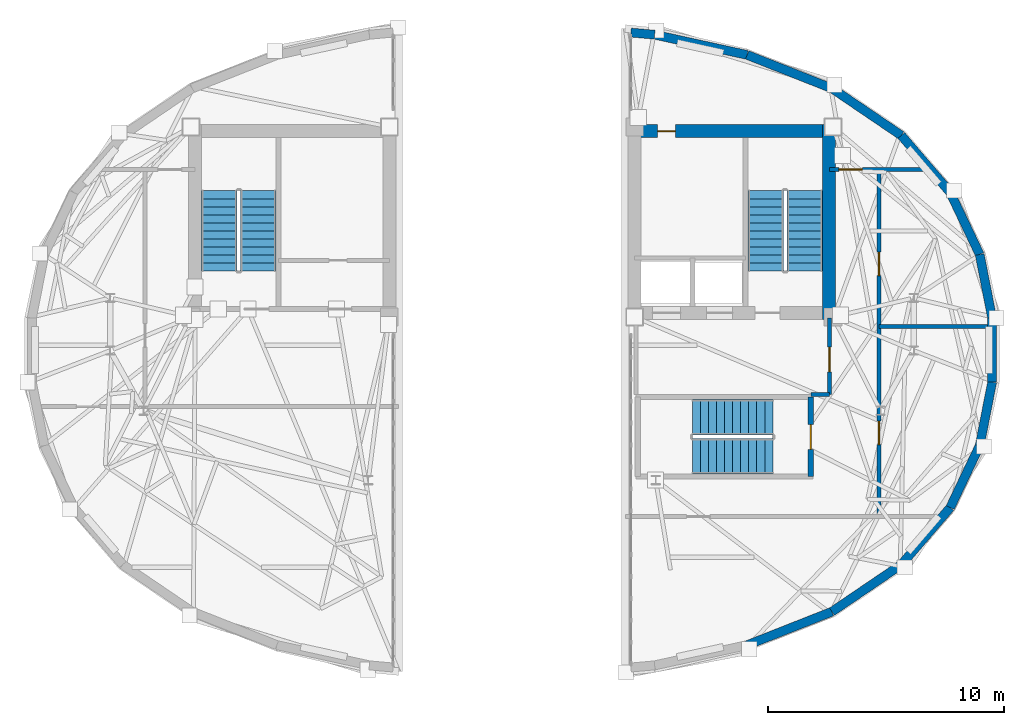
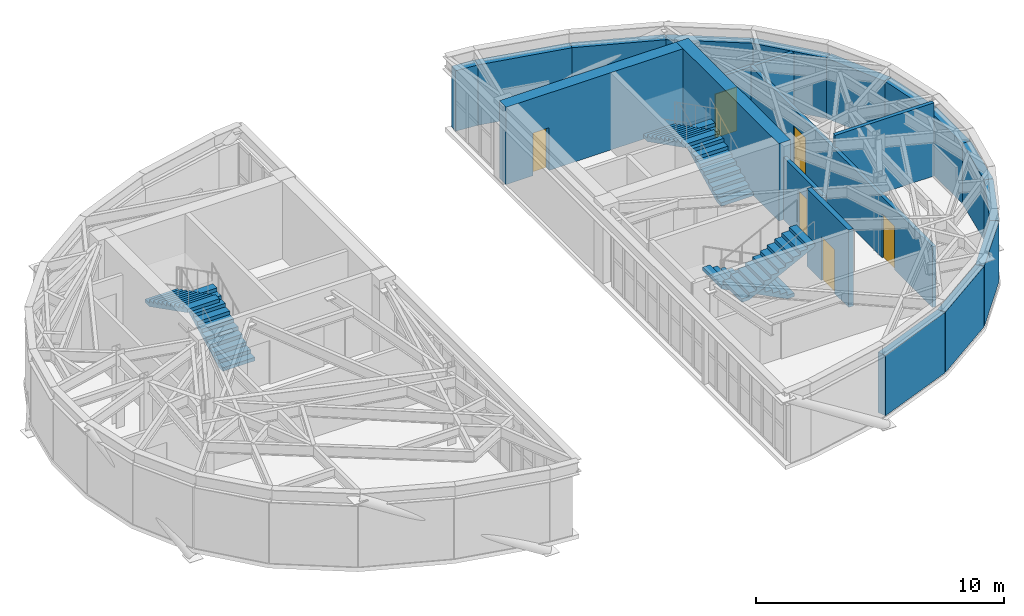
# One storey, part 10 of 13: 21 walls, 6 doors, 6 stair flights, 6 openings, 3 elements without a shape of their own.
"""IFC4 building model written with IfcOpenShell, lengths in metres."""

from ifc_helpers import new_model, si_unit, direction, frame, frame_2d, origin, place, context, subcontext, project, spatial, polyline, rectangle, outline, extrude, material, layer, layer_set, type_object, element, fill, aggregate, save


model = new_model("IFC4")

# Units and contexts
model_context = context("Model", 3, precision=1e-05, world=origin(), true_north=direction((0.0, 1.0)))
body_context = subcontext(model_context, "Body", "Model", "MODEL_VIEW")
ifc_project = project(units=[si_unit("LENGTHUNIT", "METRE"), si_unit("AREAUNIT", "SQUARE_METRE"), si_unit("VOLUMEUNIT", "CUBIC_METRE"), si_unit("PLANEANGLEUNIT", "RADIAN"), si_unit("MASSUNIT", "GRAM", prefix="KILO")], contexts=[model_context])

# Site, building, storey
site_placement = place(None, origin())
site = spatial("IfcSite", under=ifc_project, at=site_placement, CompositionType="ELEMENT")
building_placement = place(site_placement, origin())
building = spatial("IfcBuilding", under=site, at=building_placement, Name="Keldmark Tower", CompositionType="ELEMENT")
storey_placement = place(building_placement, frame((0.0, 0.0, 273.0)))
storey = spatial("IfcBuildingStorey", under=building, at=storey_placement, Name="L77", CompositionType="ELEMENT", Elevation=273.0)

# Walls
ifc_material_1 = material(Name="Kasota Buff Limestone Ashlar Masonry", Category="masonry")
ifc_layer_1 = layer(ifc_material_1, 0.3798828125)
ifc_layer_set_1 = layer_set([ifc_layer_1], Name="Kasota Buff Limestone Ashlar Masonry")
wall_type_1 = type_object("IfcWallType", Name="Crown Kasota Limestone Screen Wall 380 mm", PredefinedType="ELEMENTEDWALL", material=ifc_layer_set_1)
wall_1_placement = place(storey_placement, frame((9.96337890625, 12.50390625, 0.0), z_axis=(0.0, 0.0, 1.0), x_axis=(-0.97689207626, 0.213733177911, 0.0)))
element("IfcWall", 1, at=wall_1_placement, inside=storey, type_object=wall_type_1, Name="L77 Crown Limestone Enclosure Wall E01", PredefinedType="ELEMENTEDWALL", context=body_context, shape_type="SweptSolid", body=[
    extrude(rectangle(XDim=4.01171875, YDim=0.3798828125, at=frame_2d((2.005859375, 0.0))), origin(), (0.0, 0.0, 1.0), 2.969970703125),
])
wall_2_placement = place(storey_placement, frame((13.55712890625, 11.086181640625, 0.0), z_axis=(0.0, 0.0, 1.0), x_axis=(-0.930231308044, 0.366973723221, 0.0)))
element("IfcWall", 2, at=wall_2_placement, inside=storey, type_object=wall_type_1, Name="L77 Crown Limestone Enclosure Wall E02", PredefinedType="ELEMENTEDWALL", context=body_context, shape_type="SweptSolid", body=[
    extrude(rectangle(XDim=3.86328125, YDim=0.3798828125, at=frame_2d((1.931640625, 0.0))), origin(), (0.0, 0.0, 1.0), 2.969970703125),
])
wall_3_placement = place(storey_placement, frame((16.49560546875, 9.0927734375, 0.0), z_axis=(0.0, 0.0, 1.0), x_axis=(-0.827548787006, 0.561393805741, 0.0)))
element("IfcWall", 3, at=wall_3_placement, inside=storey, type_object=wall_type_1, Name="L77 Crown Limestone Enclosure Wall E03", PredefinedType="ELEMENTEDWALL", context=body_context, shape_type="SweptSolid", body=[
    extrude(rectangle(XDim=3.55078125, YDim=0.3798828125, at=frame_2d((1.775390625, 0.0))), origin(), (0.0, 0.0, 1.0), 2.969970703125),
])
wall_4_placement = place(storey_placement, frame((18.568603515625, 6.674560546875, 0.0), z_axis=(0.0, 0.0, 1.0), x_axis=(-0.650835558852, 0.759218726938, 0.0)))
element("IfcWall", 4, at=wall_4_placement, inside=storey, type_object=wall_type_1, Name="L77 Crown Limestone Enclosure Wall E04", PredefinedType="ELEMENTEDWALL", context=body_context, shape_type="SweptSolid", body=[
    extrude(rectangle(XDim=3.18505859375, YDim=0.3798828125, at=frame_2d((1.592529296875, 0.0))), origin(), (0.0, 0.0, 1.0), 2.969970703125),
])
wall_5_placement = place(storey_placement, frame((19.81689453125, 4.04931640625, 0.0), z_axis=(0.0, 0.0, 1.0), x_axis=(-0.429421676457, 0.903104104624, 0.0)))
element("IfcWall", 5, at=wall_5_placement, inside=storey, type_object=wall_type_1, Name="L77 Crown Limestone Enclosure Wall E05", PredefinedType="ELEMENTEDWALL", context=body_context, shape_type="SweptSolid", body=[
    extrude(rectangle(XDim=2.906982421875, YDim=0.3798828125, at=frame_2d((1.45361328125, 0.0))), origin(), (0.0, 0.0, 1.0), 2.969970703125),
])
wall_6_placement = place(storey_placement, frame((20.345703125, 1.35205078125, 0.0), z_axis=(0.0, 0.0, 1.0), x_axis=(-0.192390980569, 0.981318353337, 0.0)))
element("IfcWall", 6, at=wall_6_placement, inside=storey, type_object=wall_type_1, Name="L77 Crown Limestone Enclosure Wall E06", PredefinedType="ELEMENTEDWALL", context=body_context, shape_type="SweptSolid", body=[
    extrude(rectangle(XDim=2.74853515625, YDim=0.3798828125, at=frame_2d((1.374267578125, 0.0))), origin(), (0.0, 0.0, 1.0), 2.969970703125),
])
wall_7_placement = place(storey_placement, frame((20.345703125, -1.35205078125, 0.0), z_axis=(0.0, 0.0, 1.0), x_axis=(0.0, 1.0, 0.0)))
element("IfcWall", 7, at=wall_7_placement, inside=storey, type_object=wall_type_1, Name="L77 Crown Limestone Enclosure Wall E07", PredefinedType="ELEMENTEDWALL", context=body_context, shape_type="SweptSolid", body=[
    extrude(rectangle(XDim=2.7041015625, YDim=0.3798828125, at=frame_2d((1.35205078125, 0.0))), origin(), (0.0, 0.0, 1.0), 2.969970703125),
])
wall_8_placement = place(storey_placement, frame((19.81689453125, -4.04931640625, 0.0), z_axis=(0.0, 0.0, 1.0), x_axis=(0.192390980569, 0.981318353337, 0.0)))
element("IfcWall", 8, at=wall_8_placement, inside=storey, type_object=wall_type_1, Name="L77 Crown Limestone Enclosure Wall E08", PredefinedType="ELEMENTEDWALL", context=body_context, shape_type="SweptSolid", body=[
    extrude(rectangle(XDim=2.74853515625, YDim=0.3798828125, at=frame_2d((1.374267578125, 0.0))), origin(), (0.0, 0.0, 1.0), 2.969970703125),
])
wall_9_placement = place(storey_placement, frame((18.568603515625, -6.674560546875, 0.0), z_axis=(0.0, 0.0, 1.0), x_axis=(0.429421676457, 0.903104104624, 0.0)))
element("IfcWall", 9, at=wall_9_placement, inside=storey, type_object=wall_type_1, Name="L77 Crown Limestone Enclosure Wall E09", PredefinedType="ELEMENTEDWALL", context=body_context, shape_type="SweptSolid", body=[
    extrude(rectangle(XDim=2.906982421875, YDim=0.3798828125, at=frame_2d((1.45361328125, 0.0))), origin(), (0.0, 0.0, 1.0), 2.969970703125),
])
wall_10_placement = place(storey_placement, frame((16.49560546875, -9.0927734375, 0.0), z_axis=(0.0, 0.0, 1.0), x_axis=(0.650835558852, 0.759218726938, 0.0)))
element("IfcWall", 10, at=wall_10_placement, inside=storey, type_object=wall_type_1, Name="L77 Crown Limestone Enclosure Wall E10", PredefinedType="ELEMENTEDWALL", context=body_context, shape_type="SweptSolid", body=[
    extrude(rectangle(XDim=3.18505859375, YDim=0.3798828125, at=frame_2d((1.592529296875, 0.0))), origin(), (0.0, 0.0, 1.0), 2.969970703125),
])
wall_11_placement = place(storey_placement, frame((13.55712890625, -11.086181640625, 0.0), z_axis=(0.0, 0.0, 1.0), x_axis=(0.827548787006, 0.561393805741, 0.0)))
element("IfcWall", 11, at=wall_11_placement, inside=storey, type_object=wall_type_1, Name="L77 Crown Limestone Enclosure Wall E11", PredefinedType="ELEMENTEDWALL", context=body_context, shape_type="SweptSolid", body=[
    extrude(rectangle(XDim=3.55078125, YDim=0.3798828125, at=frame_2d((1.775390625, 0.0))), origin(), (0.0, 0.0, 1.0), 2.969970703125),
])
wall_12_placement = place(storey_placement, frame((9.96337890625, -12.50390625, 0.0), z_axis=(0.0, 0.0, 1.0), x_axis=(0.930231308044, 0.366973723221, 0.0)))
element("IfcWall", 12, at=wall_12_placement, inside=storey, type_object=wall_type_1, Name="L77 Crown Limestone Enclosure Wall E12", PredefinedType="ELEMENTEDWALL", context=body_context, shape_type="SweptSolid", body=[
    extrude(rectangle(XDim=3.86328125, YDim=0.3798828125, at=frame_2d((1.931640625, 0.0))), origin(), (0.0, 0.0, 1.0), 2.969970703125),
])
wall_13_placement = place(storey_placement, frame((6.04443359375, 13.361328125, 0.0), z_axis=(0.0, 0.0, 1.0), x_axis=(-0.995958429341, 0.089815405271, 0.0)))
element("IfcWall", 13, at=wall_13_placement, inside=storey, type_object=wall_type_1, Name="L77 Crown Limestone Enclosure Wall E16", PredefinedType="ELEMENTEDWALL", context=body_context, shape_type="SweptSolid", body=[
    extrude(rectangle(XDim=1.008544921875, YDim=0.3798828125, at=frame_2d((0.50439453125, 0.0))), origin(), (0.0, 0.0, 1.0), 2.969970703125),
])
ifc_material_2 = material(Name="Concrete C50/60", Category="concrete")
ifc_layer_2 = layer(ifc_material_2, 0.550048828125)
ifc_layer_set_2 = layer_set([ifc_layer_2], Name="Concrete C50/60")
wall_type_2 = type_object("IfcWallType", Name="High-Rise Core Shear Wall 550 mm", PredefinedType="SHEAR", material=ifc_layer_set_2)
wall_14_placement = place(storey_placement, frame((13.425048828125, 1.300048828125, 0.0), z_axis=(0.0, 0.0, 1.0), x_axis=(0.0, 1.0, 0.0)))
element("IfcWall", 14, at=wall_14_placement, inside=storey, type_object=wall_type_2, Name="L77 East Crown Core East Wall", PredefinedType="SHEAR", context=body_context, shape_type="SweptSolid", body=[
    extrude(rectangle(XDim=8.25, YDim=0.550048828125, at=frame_2d((4.125, 0.0))), origin(), (0.0, 0.0, 1.0), 3.800048828125),
])

# Wall, opening, door
wall_15_placement = place(storey_placement, frame((4.925048828125, 9.27490234375, 0.0), z_axis=(0.0, 0.0, 1.0), x_axis=(1.0, 0.0, 0.0)))
wall_15 = element("IfcWall", 15, at=wall_15_placement, inside=storey, type_object=wall_type_2, Name="L77 East Crown Core North Wall", PredefinedType="SHEAR", context=body_context, shape_type="SweptSolid", body=[
    extrude(rectangle(XDim=8.77490234375, YDim=0.550048828125, at=frame_2d((4.387451171875, 0.0))), origin(), (0.0, 0.0, 1.0), 3.800048828125),
])
opening_1_placement = place(wall_15_placement, frame((1.25, 0.0, 0.0)))
opening_1 = element("IfcOpeningElement", 16, at=opening_1_placement, cuts=wall_15, Name="Opening D-RS075", PredefinedType="OPENING", context=body_context, shape_type="SweptSolid", body=[
    extrude(rectangle(XDim=0.75, YDim=2.10009765625, at=frame_2d((0.375, 1.050048828125))), frame((0.0, 0.284912109375, 0.0), z_axis=(0.0, -1.0, 0.0), x_axis=(1.0, 0.0, 0.0)), (0.0, 0.0, 1.0), 0.570068359375),
])
ifc_material_3 = material(Name="Galvanized Fire-Rated Access Leaf", Category="metal")
door_type_1 = type_object("IfcDoorType", Name="Riser Access Door 750x2100", OperationType="NOTDEFINED", PredefinedType="DOOR", material=ifc_material_3)
door_1_placement = place(opening_1_placement, origin())
door_1 = element("IfcDoor", 17, at=door_1_placement, inside=storey, type_object=door_type_1, Name="L77 Riser Access Door 750x2100 D-EC-RIS-L77", OperationType="SINGLE_SWING_RIGHT", OverallHeight=2.10009765625, OverallWidth=0.75, PredefinedType="DOOR", context=body_context, shape_type="SweptSolid", body=[
    extrude(rectangle(XDim=0.75, YDim=2.10009765625, at=frame_2d((0.375, 1.050048828125))), frame((0.0, 0.02490234375, 0.0), z_axis=(0.0, -1.0, 0.0), x_axis=(1.0, 0.0, 0.0)), (0.0, 0.0, 1.0), 0.050048828125),
])
fill(opening_1, door_1)

ifc_material_4 = material(Name="Type X Fire-Rated Gypsum Partition Assembly", Category="gypsum")
ifc_layer_3 = layer(ifc_material_4, 0.1650390625)
ifc_layer_set_3 = layer_set([ifc_layer_3], Name="Type X Fire-Rated Gypsum Partition Assembly")
wall_type_3 = type_object("IfcWallType", Name="Rated Partition 165 mm", PredefinedType="PARTITIONING", material=ifc_layer_set_3)
wall_16_placement = place(storey_placement, frame((13.449951171875, -1.8798828125, 0.0), z_axis=(0.0, 0.0, 1.0), x_axis=(0.0, 1.0, 0.0)))
wall_16 = element("IfcWall", 18, at=wall_16_placement, inside=storey, type_object=wall_type_3, Name="L77 Rated Partition 165 mm EC-FSAE-E", PredefinedType="PARTITIONING", context=body_context, shape_type="SweptSolid", body=[
    extrude(rectangle(XDim=3.22998046875, YDim=0.1650390625, at=frame_2d((1.614990234375, 0.0))), origin(), (0.0, 0.0, 1.0), 3.06103515625),
])
opening_2_placement = place(wall_16_placement, frame((0.949951171875, 0.0, 0.0)))
opening_2 = element("IfcOpeningElement", 19, at=opening_2_placement, cuts=wall_16, Name="Opening D-FL105", PredefinedType="OPENING", context=body_context, shape_type="SweptSolid", body=[
    extrude(rectangle(XDim=1.050048828125, YDim=2.14990234375, at=frame_2d((0.52490234375, 1.074951171875))), frame((0.0, 0.092529296875, 0.0), z_axis=(0.0, -1.0, 0.0), x_axis=(1.0, 0.0, 0.0)), (0.0, 0.0, 1.0), 0.18505859375),
])
ifc_material_5 = material(Name="Fire-Rated Mineral-Core Door and Vision Lite", Category="metal")
door_type_2 = type_object("IfcDoorType", Name="Fire Lobby Door 1050x2150", OperationType="NOTDEFINED", PredefinedType="DOOR", material=ifc_material_5)
door_2_placement = place(opening_2_placement, origin())
door_2 = element("IfcDoor", 20, at=door_2_placement, inside=storey, type_object=door_type_2, Name="L77 Fire Lobby Door 1050x2150 D-ECFSAE-E-L77", OperationType="SINGLE_SWING_LEFT", OverallHeight=2.14990234375, OverallWidth=1.050048828125, PredefinedType="DOOR", context=body_context, shape_type="SweptSolid", body=[
    extrude(rectangle(XDim=1.050048828125, YDim=2.14990234375, at=frame_2d((0.52490234375, 1.074951171875))), frame((0.0, 0.02490234375, 0.0), z_axis=(0.0, -1.0, 0.0), x_axis=(1.0, 0.0, 0.0)), (0.0, 0.0, 1.0), 0.050048828125),
])
fill(opening_2, door_2)

# Wall
wall_17_placement = place(storey_placement, frame((12.659912109375, -1.8798828125, 0.0), z_axis=(0.0, 0.0, 1.0), x_axis=(1.0, 0.0, 0.0)))
element("IfcWall", 21, at=wall_17_placement, inside=storey, type_object=wall_type_3, Name="L77 Rated Partition 165 mm EC-FSAE-S", PredefinedType="PARTITIONING", context=body_context, shape_type="SweptSolid", body=[
    extrude(rectangle(XDim=0.7900390625, YDim=0.1650390625, at=frame_2d((0.39501953125, 0.0))), origin(), (0.0, 0.0, 1.0), 3.06103515625),
])

# Wall, openings, doors
wall_18_placement = place(storey_placement, frame((15.550048828125, -7.050048828125, 0.0), z_axis=(0.0, 0.0, 1.0), x_axis=(0.0, 1.0, 0.0)))
wall_18 = element("IfcWall", 22, at=wall_18_placement, inside=storey, type_object=wall_type_3, Name="L77 Rated Partition 165 mm EC-ECOR-E", PredefinedType="PARTITIONING", context=body_context, shape_type="SweptSolid", body=[
    extrude(rectangle(XDim=14.699951171875, YDim=0.1650390625, at=frame_2d((7.35009765625, 0.0))), origin(), (0.0, 0.0, 1.0), 2.987060546875),
])
opening_3_placement = place(wall_18_placement, frame((3.0400390625, 0.0, 0.0)))
opening_3 = element("IfcOpeningElement", 23, at=opening_3_placement, cuts=wall_18, Name="Opening D-FD100", PredefinedType="OPENING", context=body_context, shape_type="SweptSolid", body=[
    extrude(rectangle(XDim=1.0, YDim=2.14990234375, at=frame_2d((0.5, 1.074951171875))), frame((0.0, 0.092529296875, 0.0), z_axis=(0.0, -1.0, 0.0), x_axis=(1.0, 0.0, 0.0)), (0.0, 0.0, 1.0), 0.18505859375),
])
opening_4_placement = place(wall_18_placement, frame((10.199951171875, 0.0, 0.0)))
opening_4 = element("IfcOpeningElement", 24, at=opening_4_placement, cuts=wall_18, Name="Opening D-FD100", PredefinedType="OPENING", context=body_context, shape_type="SweptSolid", body=[
    extrude(rectangle(XDim=1.0, YDim=2.14990234375, at=frame_2d((0.5, 1.074951171875))), frame((0.0, 0.092529296875, 0.0), z_axis=(0.0, -1.0, 0.0), x_axis=(1.0, 0.0, 0.0)), (0.0, 0.0, 1.0), 0.18505859375),
])
ifc_material_6 = material(Name="Hollow Metal Fire-Rated Corridor Door", Category="metal")
door_type_3 = type_object("IfcDoorType", Name="Fire Door 1000x2150", OperationType="NOTDEFINED", PredefinedType="DOOR", material=ifc_material_6)
door_3_placement = place(opening_3_placement, origin())
door_3 = element("IfcDoor", 25, at=door_3_placement, inside=storey, type_object=door_type_3, Name="L77 Fire Door 1000x2150 D-ECPE1-L77", OperationType="SINGLE_SWING_LEFT", OverallHeight=2.14990234375, OverallWidth=1.0, PredefinedType="DOOR", context=body_context, shape_type="SweptSolid", body=[
    extrude(rectangle(XDim=1.0, YDim=2.14990234375, at=frame_2d((0.5, 1.074951171875))), frame((0.0, 0.02490234375, 0.0), z_axis=(0.0, -1.0, 0.0), x_axis=(1.0, 0.0, 0.0)), (0.0, 0.0, 1.0), 0.050048828125),
])
fill(opening_3, door_3)
door_4_placement = place(opening_4_placement, origin())
door_4 = element("IfcDoor", 26, at=door_4_placement, inside=storey, type_object=door_type_3, Name="L77 Fire Door 1000x2150 D-ECPE2-L77", OperationType="SINGLE_SWING_RIGHT", OverallHeight=2.14990234375, OverallWidth=1.0, PredefinedType="DOOR", context=body_context, shape_type="SweptSolid", body=[
    extrude(rectangle(XDim=1.0, YDim=2.14990234375, at=frame_2d((0.5, 1.074951171875))), frame((0.0, 0.02490234375, 0.0), z_axis=(0.0, -1.0, 0.0), x_axis=(1.0, 0.0, 0.0)), (0.0, 0.0, 1.0), 0.050048828125),
])
fill(opening_4, door_4)

# Wall, opening, door
wall_19_placement = place(storey_placement, frame((13.449951171875, 7.64990234375, 0.0), z_axis=(0.0, 0.0, 1.0), x_axis=(1.0, 0.0, 0.0)))
wall_19 = element("IfcWall", 27, at=wall_19_placement, inside=storey, type_object=wall_type_3, Name="L77 Rated Partition 165 mm EC-NCAP", PredefinedType="PARTITIONING", context=body_context, shape_type="SweptSolid", body=[
    extrude(rectangle(XDim=4.021728515625, YDim=0.1650390625, at=frame_2d((2.0107421875, 0.0))), origin(), (0.0, 0.0, 1.0), 2.968017578125),
])
opening_5_placement = place(wall_19_placement, frame((0.39990234375, 0.0, 0.0)))
opening_5 = element("IfcOpeningElement", 28, at=opening_5_placement, cuts=wall_19, Name="Opening D-FD100", PredefinedType="OPENING", context=body_context, shape_type="SweptSolid", body=[
    extrude(rectangle(XDim=1.0, YDim=2.14990234375, at=frame_2d((0.5, 1.074951171875))), frame((0.0, 0.092529296875, 0.0), z_axis=(0.0, -1.0, 0.0), x_axis=(1.0, 0.0, 0.0)), (0.0, 0.0, 1.0), 0.18505859375),
])
door_5_placement = place(opening_5_placement, origin())
door_5 = element("IfcDoor", 29, at=door_5_placement, inside=storey, type_object=door_type_3, Name="L77 Fire Door 1000x2150 D-ECPN-L77", OperationType="SINGLE_SWING_LEFT", OverallHeight=2.14990234375, OverallWidth=1.0, PredefinedType="DOOR", context=body_context, shape_type="SweptSolid", body=[
    extrude(rectangle(XDim=1.0, YDim=2.14990234375, at=frame_2d((0.5, 1.074951171875))), frame((0.0, 0.02490234375, 0.0), z_axis=(0.0, -1.0, 0.0), x_axis=(1.0, 0.0, 0.0)), (0.0, 0.0, 1.0), 0.050048828125),
])
fill(opening_5, door_5)

# Wall
wall_20_placement = place(storey_placement, frame((15.550048828125, 1.0, 0.0), z_axis=(0.0, 0.0, 1.0), x_axis=(1.0, 0.0, 0.0)))
element("IfcWall", 30, at=wall_20_placement, inside=storey, type_object=wall_type_3, Name="L77 Rated Partition 165 mm EC-EDIV", PredefinedType="PARTITIONING", context=body_context, shape_type="SweptSolid", body=[
    extrude(rectangle(XDim=4.59765625, YDim=0.1650390625, at=frame_2d((2.298828125, 0.0))), origin(), (0.0, 0.0, 1.0), 3.60009765625),
])

# Wall, opening, door
ifc_material_7 = material(Name="Concrete C50/60", Category="concrete")
ifc_layer_4 = layer(ifc_material_7, 0.219970703125)
ifc_layer_set_4 = layer_set([ifc_layer_4], Name="Concrete C50/60")
wall_type_4 = type_object("IfcWallType", Name="Stair Core Shear Wall 220 mm", PredefinedType="SHEAR", material=ifc_layer_set_4)
wall_21_placement = place(storey_placement, frame((12.659912109375, -5.360107421875, 0.0), z_axis=(0.0, 0.0, 1.0), x_axis=(0.0, 1.0, 0.0)))
wall_21 = element("IfcWall", 31, at=wall_21_placement, inside=storey, type_object=wall_type_4, Name="L77 East Crown Stair ST4 East Wall", PredefinedType="SHEAR", context=body_context, shape_type="SweptSolid", body=[
    extrude(rectangle(XDim=3.3701171875, YDim=0.219970703125, at=frame_2d((1.68505859375, 0.0))), origin(), (0.0, 0.0, 1.0), 3.800048828125),
])
opening_6_placement = place(wall_21_placement, frame((1.14990234375, 0.0, 0.0)))
opening_6 = element("IfcOpeningElement", 32, at=opening_6_placement, cuts=wall_21, Name="Opening D-ST105", PredefinedType="OPENING", context=body_context, shape_type="SweptSolid", body=[
    extrude(rectangle(XDim=1.050048828125, YDim=2.14990234375, at=frame_2d((0.52490234375, 1.074951171875))), frame((0.0, 0.119873046875, 0.0), z_axis=(0.0, -1.0, 0.0), x_axis=(1.0, 0.0, 0.0)), (0.0, 0.0, 1.0), 0.239990234375),
])
ifc_material_8 = material(Name="Hollow Metal Fire-Rated Door Assembly", Category="metal")
door_type_4 = type_object("IfcDoorType", Name="Stair Fire Door 1050x2150", OperationType="NOTDEFINED", PredefinedType="DOOR", material=ifc_material_8)
door_6_placement = place(opening_6_placement, origin())
door_6 = element("IfcDoor", 33, at=door_6_placement, inside=storey, type_object=door_type_4, Name="L77 Stair Fire Door 1050x2150 D-ST4-L77", OperationType="SINGLE_SWING_RIGHT", OverallHeight=2.14990234375, OverallWidth=1.050048828125, PredefinedType="DOOR", context=body_context, shape_type="SweptSolid", body=[
    extrude(rectangle(XDim=1.050048828125, YDim=2.14990234375, at=frame_2d((0.52490234375, 1.074951171875))), frame((0.0, 0.02490234375, 0.0), z_axis=(0.0, -1.0, 0.0), x_axis=(1.0, 0.0, 0.0)), (0.0, 0.0, 1.0), 0.050048828125),
])
fill(opening_6, door_6)

# Stair, stair flights
ifc_material_9 = material(Name="Concrete C40/50", Category="concrete")
stair_type = type_object("IfcStairType", Name="Precast Concrete Core Exit Stair", PredefinedType="HALF_TURN_STAIR", material=ifc_material_9)
stair_1_placement = place(storey_placement, origin())
stair_1 = element("IfcStair", 34, at=stair_1_placement, inside=storey, type_object=stair_type, Name="L77 Exit Stair ST1", PredefinedType="HALF_TURN_STAIR")
ifc_material_10 = material(Name="Concrete C40/50", Category="concrete")
stair_flight_type = type_object("IfcStairFlightType", Name="Precast Concrete Stair Flight 1500 mm", PredefinedType="STRAIGHT", material=ifc_material_10)
stair_flight_1_placement = place(storey_placement, frame((-10.75, 3.35009765625, 0.0), z_axis=(0.0, 0.0, 1.0), x_axis=(0.0, 1.0, 0.0)))
stair_flight_1 = element("IfcStairFlight", 35, at=stair_flight_1_placement, type_object=stair_flight_type, Name="ST1 flight 1", NumberOfRisers=11, NumberOfTreads=10, PredefinedType="STRAIGHT", RiserHeight=0.172727273, TreadLength=0.34, context=body_context, shape_type="SweptSolid", body=[
    extrude(outline(polyline([(0.0, 0.0), (0.0, 0.172607421875), (0.340087890625, 0.172607421875), (0.340087890625, 0.345458984375), (0.679931640625, 0.345458984375), (0.679931640625, 0.51806640625), (1.02001953125, 0.51806640625), (1.02001953125, 0.69091796875), (1.360107421875, 0.69091796875), (1.360107421875, 0.863525390625), (1.699951171875, 0.863525390625), (1.699951171875, 1.036376953125), (2.0400390625, 1.036376953125), (2.0400390625, 1.208984375), (2.3798828125, 1.208984375), (2.3798828125, 1.3818359375), (2.719970703125, 1.3818359375), (2.719970703125, 1.554443359375), (3.06005859375, 1.554443359375), (3.06005859375, 1.727294921875), (3.39990234375, 1.727294921875), (3.39990234375, 1.89990234375), (3.39990234375, 1.55908203125), (0.3310546875, 0.0), (0.0, 0.0)])), frame((0.0, 0.75, 0.0), z_axis=(0.0, -1.0, 0.0), x_axis=(1.0, 0.0, 0.0)), (0.0, 0.0, 1.0), 1.5),
])
stair_flight_2_placement = place(storey_placement, frame((-12.39990234375, 6.75, 1.89990234375), z_axis=(0.0, 0.0, 1.0), x_axis=(0.0, -1.0, 0.0)))
stair_flight_2 = element("IfcStairFlight", 36, at=stair_flight_2_placement, type_object=stair_flight_type, Name="ST1 flight 2", NumberOfRisers=11, NumberOfTreads=10, PredefinedType="STRAIGHT", RiserHeight=0.172727273, TreadLength=0.34, context=body_context, shape_type="SweptSolid", body=[
    extrude(outline(polyline([(0.0, 0.0), (0.0, 0.172607421875), (0.340087890625, 0.172607421875), (0.340087890625, 0.345458984375), (0.679931640625, 0.345458984375), (0.679931640625, 0.51806640625), (1.02001953125, 0.51806640625), (1.02001953125, 0.69091796875), (1.360107421875, 0.69091796875), (1.360107421875, 0.863525390625), (1.699951171875, 0.863525390625), (1.699951171875, 1.036376953125), (2.0400390625, 1.036376953125), (2.0400390625, 1.208984375), (2.3798828125, 1.208984375), (2.3798828125, 1.3818359375), (2.719970703125, 1.3818359375), (2.719970703125, 1.554443359375), (3.06005859375, 1.554443359375), (3.06005859375, 1.727294921875), (3.39990234375, 1.727294921875), (3.39990234375, 1.89990234375), (3.39990234375, 1.55908203125), (0.3310546875, 0.0), (0.0, 0.0)])), frame((0.0, 0.75, 0.0), z_axis=(0.0, -1.0, 0.0), x_axis=(1.0, 0.0, 0.0)), (0.0, 0.0, 1.0), 1.5),
])
aggregate(stair_1, [stair_flight_1, stair_flight_2])

stair_2_placement = place(storey_placement, origin())
stair_2 = element("IfcStair", 37, at=stair_2_placement, inside=storey, type_object=stair_type, Name="L77 Exit Stair ST2", PredefinedType="HALF_TURN_STAIR")
stair_flight_3_placement = place(storey_placement, frame((12.39990234375, 3.35009765625, 0.0), z_axis=(0.0, 0.0, 1.0), x_axis=(0.0, 1.0, 0.0)))
stair_flight_3 = element("IfcStairFlight", 38, at=stair_flight_3_placement, type_object=stair_flight_type, Name="ST2 flight 1", NumberOfRisers=11, NumberOfTreads=10, PredefinedType="STRAIGHT", RiserHeight=0.172727273, TreadLength=0.34, context=body_context, shape_type="SweptSolid", body=[
    extrude(outline(polyline([(0.0, 0.0), (0.0, 0.172607421875), (0.340087890625, 0.172607421875), (0.340087890625, 0.345458984375), (0.679931640625, 0.345458984375), (0.679931640625, 0.51806640625), (1.02001953125, 0.51806640625), (1.02001953125, 0.69091796875), (1.360107421875, 0.69091796875), (1.360107421875, 0.863525390625), (1.699951171875, 0.863525390625), (1.699951171875, 1.036376953125), (2.0400390625, 1.036376953125), (2.0400390625, 1.208984375), (2.3798828125, 1.208984375), (2.3798828125, 1.3818359375), (2.719970703125, 1.3818359375), (2.719970703125, 1.554443359375), (3.06005859375, 1.554443359375), (3.06005859375, 1.727294921875), (3.39990234375, 1.727294921875), (3.39990234375, 1.89990234375), (3.39990234375, 1.55908203125), (0.3310546875, 0.0), (0.0, 0.0)])), frame((0.0, 0.75, 0.0), z_axis=(0.0, -1.0, 0.0), x_axis=(1.0, 0.0, 0.0)), (0.0, 0.0, 1.0), 1.5),
])
stair_flight_4_placement = place(storey_placement, frame((10.75, 6.75, 1.89990234375), z_axis=(0.0, 0.0, 1.0), x_axis=(0.0, -1.0, 0.0)))
stair_flight_4 = element("IfcStairFlight", 39, at=stair_flight_4_placement, type_object=stair_flight_type, Name="ST2 flight 2", NumberOfRisers=11, NumberOfTreads=10, PredefinedType="STRAIGHT", RiserHeight=0.172727273, TreadLength=0.34, context=body_context, shape_type="SweptSolid", body=[
    extrude(outline(polyline([(0.0, 0.0), (0.0, 0.172607421875), (0.340087890625, 0.172607421875), (0.340087890625, 0.345458984375), (0.679931640625, 0.345458984375), (0.679931640625, 0.51806640625), (1.02001953125, 0.51806640625), (1.02001953125, 0.69091796875), (1.360107421875, 0.69091796875), (1.360107421875, 0.863525390625), (1.699951171875, 0.863525390625), (1.699951171875, 1.036376953125), (2.0400390625, 1.036376953125), (2.0400390625, 1.208984375), (2.3798828125, 1.208984375), (2.3798828125, 1.3818359375), (2.719970703125, 1.3818359375), (2.719970703125, 1.554443359375), (3.06005859375, 1.554443359375), (3.06005859375, 1.727294921875), (3.39990234375, 1.727294921875), (3.39990234375, 1.89990234375), (3.39990234375, 1.55908203125), (0.3310546875, 0.0), (0.0, 0.0)])), frame((0.0, 0.75, 0.0), z_axis=(0.0, -1.0, 0.0), x_axis=(1.0, 0.0, 0.0)), (0.0, 0.0, 1.0), 1.5),
])
aggregate(stair_2, [stair_flight_3, stair_flight_4])

stair_3_placement = place(storey_placement, origin())
stair_3 = element("IfcStair", 40, at=stair_3_placement, inside=storey, type_object=stair_type, Name="L77 East Crown Exit Stair ST4", PredefinedType="HALF_TURN_STAIR")
stair_flight_5_placement = place(storey_placement, frame((11.050048828125, -2.85009765625, 0.0), z_axis=(0.0, 0.0, 1.0), x_axis=(-1.0, 0.0, 0.0)))
stair_flight_5 = element("IfcStairFlight", 41, at=stair_flight_5_placement, type_object=stair_flight_type, Name="ST4 flight 1", NumberOfRisers=11, NumberOfTreads=10, PredefinedType="STRAIGHT", RiserHeight=0.172727273, TreadLength=0.34, context=body_context, shape_type="SweptSolid", body=[
    extrude(outline(polyline([(0.0, 0.0), (0.0, 0.172607421875), (0.340087890625, 0.172607421875), (0.340087890625, 0.345458984375), (0.679931640625, 0.345458984375), (0.679931640625, 0.51806640625), (1.02001953125, 0.51806640625), (1.02001953125, 0.69091796875), (1.360107421875, 0.69091796875), (1.360107421875, 0.863525390625), (1.699951171875, 0.863525390625), (1.699951171875, 1.036376953125), (2.0400390625, 1.036376953125), (2.0400390625, 1.208984375), (2.3798828125, 1.208984375), (2.3798828125, 1.3818359375), (2.719970703125, 1.3818359375), (2.719970703125, 1.554443359375), (3.06005859375, 1.554443359375), (3.06005859375, 1.727294921875), (3.39990234375, 1.727294921875), (3.39990234375, 1.89990234375), (3.39990234375, 1.55908203125), (0.3310546875, 0.0), (0.0, 0.0)])), frame((0.0, 0.75, 0.0), z_axis=(0.0, -1.0, 0.0), x_axis=(1.0, 0.0, 0.0)), (0.0, 0.0, 1.0), 1.5),
])
stair_flight_6_placement = place(storey_placement, frame((7.64990234375, -4.5, 1.89990234375), z_axis=(0.0, 0.0, 1.0), x_axis=(1.0, 0.0, 0.0)))
stair_flight_6 = element("IfcStairFlight", 42, at=stair_flight_6_placement, type_object=stair_flight_type, Name="ST4 flight 2", NumberOfRisers=11, NumberOfTreads=10, PredefinedType="STRAIGHT", RiserHeight=0.172727273, TreadLength=0.34, context=body_context, shape_type="SweptSolid", body=[
    extrude(outline(polyline([(0.0, 0.0), (0.0, 0.172607421875), (0.340087890625, 0.172607421875), (0.340087890625, 0.345458984375), (0.679931640625, 0.345458984375), (0.679931640625, 0.51806640625), (1.02001953125, 0.51806640625), (1.02001953125, 0.69091796875), (1.360107421875, 0.69091796875), (1.360107421875, 0.863525390625), (1.699951171875, 0.863525390625), (1.699951171875, 1.036376953125), (2.0400390625, 1.036376953125), (2.0400390625, 1.208984375), (2.3798828125, 1.208984375), (2.3798828125, 1.3818359375), (2.719970703125, 1.3818359375), (2.719970703125, 1.554443359375), (3.06005859375, 1.554443359375), (3.06005859375, 1.727294921875), (3.39990234375, 1.727294921875), (3.39990234375, 1.89990234375), (3.39990234375, 1.55908203125), (0.3310546875, 0.0), (0.0, 0.0)])), frame((0.0, 0.75, 0.0), z_axis=(0.0, -1.0, 0.0), x_axis=(1.0, 0.0, 0.0)), (0.0, 0.0, 1.0), 1.5),
])
aggregate(stair_3, [stair_flight_5, stair_flight_6])

save(model, "model.ifc")
